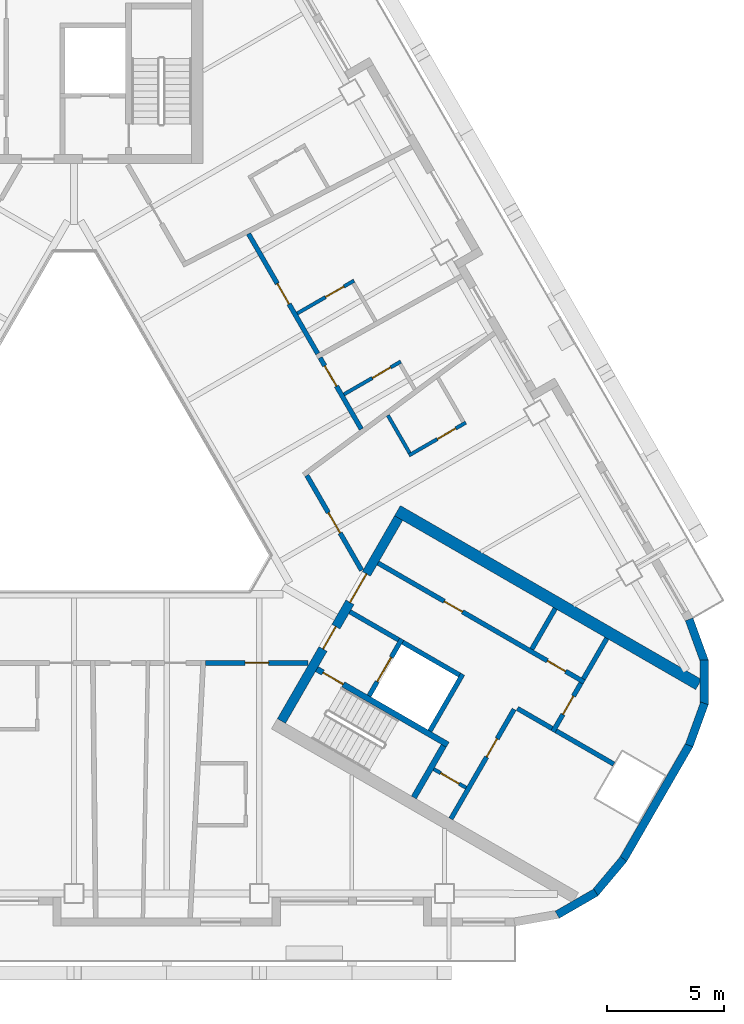
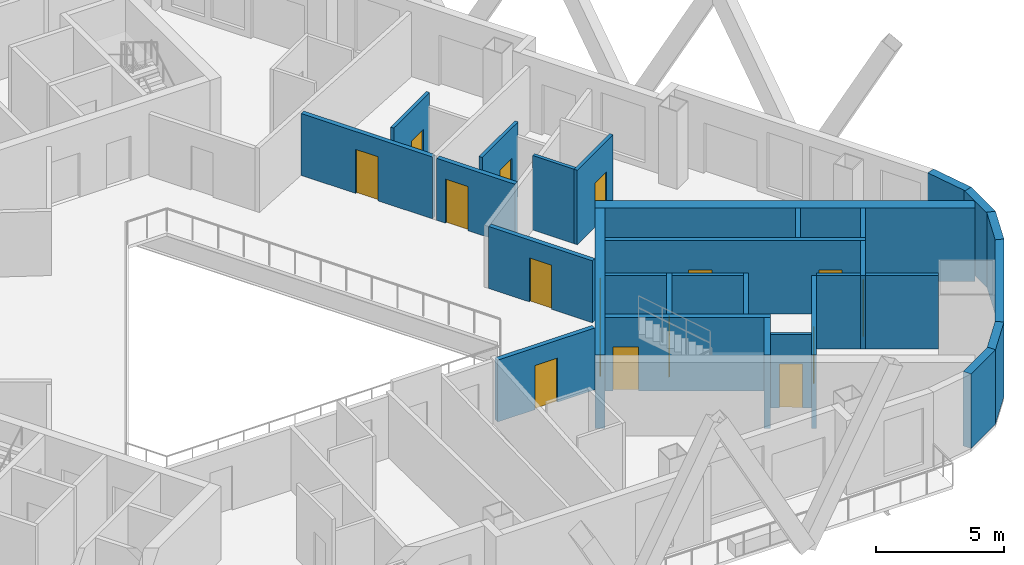
# One storey, part 5 of 14: 30 walls, 16 doors, 16 openings.
"""IFC4 building model written with IfcOpenShell, lengths in metres."""

from ifc_helpers import new_model, si_unit, direction, frame, frame_2d, origin, place, context, subcontext, project, spatial, rectangle, extrude, material, layer, layer_set, type_object, element, fill, save


model = new_model("IFC4")

# Units and contexts
model_context = context("Model", 3, precision=1e-05, world=origin(), true_north=direction((0.0, 1.0)))
body_context = subcontext(model_context, "Body", "Model", "MODEL_VIEW")
ifc_project = project(units=[si_unit("LENGTHUNIT", "METRE"), si_unit("AREAUNIT", "SQUARE_METRE"), si_unit("VOLUMEUNIT", "CUBIC_METRE"), si_unit("PLANEANGLEUNIT", "RADIAN"), si_unit("MASSUNIT", "GRAM", prefix="KILO")], contexts=[model_context])

# Site, building, storey
site_placement = place(None, origin())
site = spatial("IfcSite", under=ifc_project, at=site_placement, CompositionType="ELEMENT")
building_placement = place(site_placement, origin())
building = spatial("IfcBuilding", under=site, at=building_placement, Name="Apuvela Tower Hotel", CompositionType="ELEMENT")
storey_placement = place(building_placement, frame((0.0, 0.0, 168.800048828125)))
storey = spatial("IfcBuildingStorey", under=building, at=storey_placement, Name="L40", CompositionType="ELEMENT", Elevation=168.800048828125)

# Wall, openings, doors
ifc_material_1 = material(Name="Concrete C50/60", Category="concrete")
ifc_layer_1 = layer(ifc_material_1, 0.39990234375)
ifc_layer_set_1 = layer_set([ifc_layer_1], Name="COR-WALL-CORE-400")
wall_type_1 = type_object("IfcWallType", Name="COR-WALL-CORE-400", PredefinedType="SHEAR", material=ifc_layer_set_1)
wall_1_placement = place(storey_placement, frame((8.844970703125, -10.880126953125, 0.0), z_axis=(0.0, 0.0, 1.0), x_axis=(0.500004234368, 0.866022959057, 0.0)))
wall_1 = element("IfcWall", 1, at=wall_1_placement, inside=storey, type_object=wall_type_1, Name="Core wall SE", PredefinedType="SHEAR", context=body_context, shape_type="SweptSolid", body=[
    extrude(rectangle(XDim=10.0, YDim=0.39990234375, at=frame_2d((5.0, 0.0))), origin(), (0.0, 0.0, 1.0), 3.5),
])
opening_1_placement = place(wall_1_placement, frame((3.550048828125, 0.0, 0.0)))
opening_1 = element("IfcOpeningElement", 2, at=opening_1_placement, cuts=wall_1, Name="Opening E-FD", PredefinedType="OPENING", context=body_context, shape_type="SweptSolid", body=[
    extrude(rectangle(XDim=1.10009765625, YDim=2.10009765625, at=frame_2d((0.550048828125, 1.050048828125))), frame((0.0, 0.2099609375, 0.0), z_axis=(0.0, -1.0, 0.0), x_axis=(1.0, 0.0, 0.0)), (0.0, 0.0, 1.0), 0.419921875),
])
opening_2_placement = place(wall_1_placement, frame((5.85009765625, 0.0, 0.0)))
opening_2 = element("IfcOpeningElement", 3, at=opening_2_placement, cuts=wall_1, Name="Opening E-GD", PredefinedType="OPENING", context=body_context, shape_type="SweptSolid", body=[
    extrude(rectangle(XDim=1.39990234375, YDim=2.10009765625, at=frame_2d((0.699951171875, 1.050048828125))), frame((0.0, 0.2099609375, 0.0), z_axis=(0.0, -1.0, 0.0), x_axis=(1.0, 0.0, 0.0)), (0.0, 0.0, 1.0), 0.419921875),
])
ifc_material_2 = material(Name="Steel fire door, powder coated", Category="steel")
door_type_1 = type_object("IfcDoorType", Name="COR-FD-1100", OperationType="NOTDEFINED", PredefinedType="DOOR", material=ifc_material_2)
door_1_placement = place(opening_1_placement, frame((1.10009765625, 0.0, 0.0), z_axis=(0.0, 0.0, 1.0), x_axis=(-1.0, 0.0, 0.0)))
door_1 = element("IfcDoor", 4, at=door_1_placement, inside=storey, type_object=door_type_1, Name="Firefighting lobby door E-FD", OperationType="SINGLE_SWING_LEFT", OverallHeight=2.10009765625, OverallWidth=1.10009765625, PredefinedType="DOOR", context=body_context, shape_type="SweptSolid", body=[
    extrude(rectangle(XDim=1.10009765625, YDim=2.10009765625, at=frame_2d((0.550048828125, 1.050048828125))), frame((0.0, 0.02490234375, 0.0), z_axis=(0.0, -1.0, 0.0), x_axis=(1.0, 0.0, 0.0)), (0.0, 0.0, 1.0), 0.050048828125),
])
fill(opening_1, door_1)
ifc_material_3 = material(Name="Glazed steel fire door", Category="steel")
door_type_2 = type_object("IfcDoorType", Name="COR-GD-1400", OperationType="DOUBLE_DOOR_SINGLE_SWING", PredefinedType="DOOR", material=ifc_material_3)
door_2_placement = place(opening_2_placement, frame((1.39990234375, 0.0, 0.0), z_axis=(0.0, 0.0, 1.0), x_axis=(-1.0, 0.0, 0.0)))
door_2 = element("IfcDoor", 5, at=door_2_placement, inside=storey, type_object=door_type_2, Name="Lift lobby door E-GD", OperationType="DOUBLE_DOOR_SINGLE_SWING", OverallHeight=2.10009765625, OverallWidth=1.39990234375, PredefinedType="DOOR", context=body_context, shape_type="SweptSolid", body=[
    extrude(rectangle(XDim=1.39990234375, YDim=2.10009765625, at=frame_2d((0.699951171875, 1.050048828125))), frame((0.0, 0.02490234375, 0.0), z_axis=(0.0, -1.0, 0.0), x_axis=(1.0, 0.0, 0.0)), (0.0, 0.0, 1.0), 0.050048828125),
])
fill(opening_2, door_2)

# Wall
ifc_layer_2 = layer(ifc_material_1, 0.5)
ifc_layer_set_2 = layer_set([ifc_layer_2], Name="COR-WALL-CORE-500")
wall_type_2 = type_object("IfcWallType", Name="COR-WALL-CORE-500", PredefinedType="SHEAR", material=ifc_layer_set_2)
wall_2_placement = place(storey_placement, frame((13.796630859375, -1.9033203125, 0.0), z_axis=(0.0, 0.0, 1.0), x_axis=(0.866025009528, -0.500000682871, 0.0)))
element("IfcWall", 6, at=wall_2_placement, inside=storey, type_object=wall_type_2, Name="Core wall SE", PredefinedType="SHEAR", context=body_context, shape_type="SweptSolid", body=[
    extrude(rectangle(XDim=14.8369140625, YDim=0.5, at=frame_2d((7.41845703125, 0.0))), origin(), (0.0, 0.0, 1.0), 3.5),
])

# Wall, opening, door
ifc_material_4 = material(Name="Blockwork 150 mm plastered", Category="masonry")
ifc_layer_3 = layer(ifc_material_4, 0.14990234375)
ifc_layer_set_3 = layer_set([ifc_layer_3], Name="COR-WALL-PART-150")
wall_type_3 = type_object("IfcWallType", Name="COR-WALL-PART-150", PredefinedType="PARTITIONING", material=ifc_layer_set_3)
wall_3_placement = place(storey_placement, frame((15.341552734375, -12.927734375, 0.0), z_axis=(0.0, 0.0, 1.0), x_axis=(0.865989903783, -0.500061482766, 0.0)))
wall_3 = element("IfcWall", 7, at=wall_3_placement, inside=storey, type_object=wall_type_3, Name="Partition SE", PredefinedType="PARTITIONING", context=body_context, shape_type="SweptSolid", body=[
    extrude(rectangle(XDim=1.599853515625, YDim=0.14990234375, at=frame_2d((0.7998046875, 0.0))), origin(), (0.0, 0.0, 1.0), 3.5),
])
opening_3_placement = place(wall_3_placement, frame((0.35009765625, 0.0, 0.0)))
opening_3 = element("IfcOpeningElement", 8, at=opening_3_placement, cuts=wall_3, Name="Opening E-RD", PredefinedType="OPENING", context=body_context, shape_type="SweptSolid", body=[
    extrude(rectangle(XDim=0.89990234375, YDim=2.10009765625, at=frame_2d((0.449951171875, 1.050048828125))), frame((0.0, 0.0849609375, 0.0), z_axis=(0.0, -1.0, 0.0), x_axis=(1.0, 0.0, 0.0)), (0.0, 0.0, 1.0), 0.169921875),
])
ifc_material_5 = material(Name="Steel access door, powder coated", Category="steel")
door_type_3 = type_object("IfcDoorType", Name="COR-RD-900", OperationType="NOTDEFINED", PredefinedType="DOOR", material=ifc_material_5)
door_3_placement = place(opening_3_placement, frame((0.89990234375, 0.0, 0.0), z_axis=(0.0, 0.0, 1.0), x_axis=(-1.0, 0.0, 0.0)))
door_3 = element("IfcDoor", 9, at=door_3_placement, inside=storey, type_object=door_type_3, Name="Riser door E-RD", OperationType="SINGLE_SWING_LEFT", OverallHeight=2.10009765625, OverallWidth=0.89990234375, PredefinedType="DOOR", context=body_context, shape_type="SweptSolid", body=[
    extrude(rectangle(XDim=0.89990234375, YDim=2.10009765625, at=frame_2d((0.449951171875, 1.050048828125))), frame((0.0, 0.02490234375, 0.0), z_axis=(0.0, -1.0, 0.0), x_axis=(1.0, 0.0, 0.0)), (0.0, 0.0, 1.0), 0.050048828125),
])
fill(opening_3, door_3)

ifc_material_6 = material(Name="Blockwork 200 mm plastered", Category="masonry")
ifc_layer_4 = layer(ifc_material_6, 0.199951171875)
ifc_layer_set_4 = layer_set([ifc_layer_4], Name="COR-WALL-PART-200")
wall_type_4 = type_object("IfcWallType", Name="COR-WALL-PART-200", PredefinedType="PARTITIONING", material=ifc_layer_set_4)
wall_4_placement = place(storey_placement, frame((16.076171875, -15.05517578125, 0.0), z_axis=(0.0, 0.0, 1.0), x_axis=(0.499995103361, 0.866028230842, 0.0)))
wall_4 = element("IfcWall", 10, at=wall_4_placement, inside=storey, type_object=wall_type_4, Name="Partition SE", PredefinedType="PARTITIONING", context=body_context, shape_type="SweptSolid", body=[
    extrude(rectangle(XDim=5.39990234375, YDim=0.199951171875, at=frame_2d((2.699951171875, 0.0))), origin(), (0.0, 0.0, 1.0), 3.5),
])
opening_4_placement = place(wall_4_placement, frame((3.050048828125, 0.0, 0.0)))
opening_4 = element("IfcOpeningElement", 11, at=opening_4_placement, cuts=wall_4, Name="Opening E-RS1", PredefinedType="OPENING", context=body_context, shape_type="SweptSolid", body=[
    extrude(rectangle(XDim=0.89990234375, YDim=2.10009765625, at=frame_2d((0.449951171875, 1.050048828125))), frame((0.0, 0.10986328125, 0.0), z_axis=(0.0, -1.0, 0.0), x_axis=(1.0, 0.0, 0.0)), (0.0, 0.0, 1.0), 0.219970703125),
])
door_type_4 = type_object("IfcDoorType", Name="COR-DR-900", OperationType="NOTDEFINED", PredefinedType="DOOR", material=ifc_material_2)
door_4_placement = place(opening_4_placement, frame((0.89990234375, 0.0, 0.0), z_axis=(0.0, 0.0, 1.0), x_axis=(-1.0, 0.0, 0.0)))
door_4 = element("IfcDoor", 12, at=door_4_placement, inside=storey, type_object=door_type_4, Name="Store door E-RS1", OperationType="SINGLE_SWING_LEFT", OverallHeight=2.10009765625, OverallWidth=0.89990234375, PredefinedType="DOOR", context=body_context, shape_type="SweptSolid", body=[
    extrude(rectangle(XDim=0.89990234375, YDim=2.10009765625, at=frame_2d((0.449951171875, 1.050048828125))), frame((0.0, 0.02490234375, 0.0), z_axis=(0.0, -1.0, 0.0), x_axis=(1.0, 0.0, 0.0)), (0.0, 0.0, 1.0), 0.050048828125),
])
fill(opening_4, door_4)

# Wall
ifc_layer_5 = layer(ifc_material_1, 0.199951171875)
ifc_layer_set_5 = layer_set([ifc_layer_5], Name="COR-WALL-SHAFT-200")
wall_type_5 = type_object("IfcWallType", Name="COR-WALL-SHAFT-200", PredefinedType="SHEAR", material=ifc_layer_set_5)
wall_5_placement = place(storey_placement, frame((15.181396484375, -11.305419921875, 0.0), z_axis=(0.0, 0.0, 1.0), x_axis=(0.49994636267, 0.866056369097, 0.0)))
element("IfcWall", 13, at=wall_5_placement, inside=storey, type_object=wall_type_5, Name="Shaft wall SE", PredefinedType="SHEAR", context=body_context, shape_type="SweptSolid", body=[
    extrude(rectangle(XDim=2.800048828125, YDim=0.199951171875, at=frame_2d((1.39990234375, 0.0))), origin(), (0.0, 0.0, 1.0), 3.5),
])

# Wall, opening, door
wall_6_placement = place(storey_placement, frame((12.583251953125, -9.805419921875, 0.0), z_axis=(0.0, 0.0, 1.0), x_axis=(0.49994636267, 0.866056369097, 0.0)))
wall_6 = element("IfcWall", 14, at=wall_6_placement, inside=storey, type_object=wall_type_5, Name="Shaft wall SE", PredefinedType="SHEAR", context=body_context, shape_type="SweptSolid", body=[
    extrude(rectangle(XDim=2.800048828125, YDim=0.199951171875, at=frame_2d((1.39990234375, 0.0))), origin(), (0.0, 0.0, 1.0), 3.5),
])
opening_5_placement = place(wall_6_placement, frame((0.699951171875, 0.0, 0.0)))
opening_5 = element("IfcOpeningElement", 15, at=opening_5_placement, cuts=wall_6, Name="Opening E-LD-FS3", PredefinedType="OPENING", context=body_context, shape_type="SweptSolid", body=[
    extrude(rectangle(XDim=1.199951171875, YDim=2.10009765625, at=frame_2d((0.60009765625, 1.050048828125))), frame((0.0, 0.10986328125, 0.0), z_axis=(0.0, -1.0, 0.0), x_axis=(1.0, 0.0, 0.0)), (0.0, 0.0, 1.0), 0.219970703125),
])
ifc_material_7 = material(Name="Stainless steel lift landing door", Category="steel")
door_type_5 = type_object("IfcDoorType", Name="COR-LD-1200", OperationType="DOUBLE_DOOR_SLIDING", PredefinedType="DOOR", material=ifc_material_7)
door_5_placement = place(opening_5_placement, origin())
door_5 = element("IfcDoor", 16, at=door_5_placement, inside=storey, type_object=door_type_5, Name="Lift landing door E-LD-FS3", OperationType="DOUBLE_DOOR_SLIDING", OverallHeight=2.10009765625, OverallWidth=1.199951171875, PredefinedType="DOOR", context=body_context, shape_type="SweptSolid", body=[
    extrude(rectangle(XDim=1.199951171875, YDim=2.10009765625, at=frame_2d((0.60009765625, 1.050048828125))), frame((0.0, 0.02490234375, 0.0), z_axis=(0.0, -1.0, 0.0), x_axis=(1.0, 0.0, 0.0)), (0.0, 0.0, 1.0), 0.050048828125),
])
fill(opening_5, door_5)

# Walls
wall_7_placement = place(storey_placement, frame((11.76806640625, -6.217041015625, 0.0), z_axis=(0.0, 0.0, 1.0), x_axis=(0.866050077142, -0.499957262057, 0.0)))
element("IfcWall", 17, at=wall_7_placement, inside=storey, type_object=wall_type_5, Name="Shaft wall SE", PredefinedType="SHEAR", context=body_context, shape_type="SweptSolid", body=[
    extrude(rectangle(XDim=2.400146484375, YDim=0.199951171875, at=frame_2d((1.2001953125, 0.0))), origin(), (0.0, 0.0, 1.0), 3.5),
])
wall_8_placement = place(storey_placement, frame((14.019775390625, -7.51708984375, 0.0), z_axis=(0.0, 0.0, 1.0), x_axis=(0.866034573852, -0.49998411664, 0.0)))
element("IfcWall", 18, at=wall_8_placement, inside=storey, type_object=wall_type_5, Name="Shaft wall SE", PredefinedType="SHEAR", context=body_context, shape_type="SweptSolid", body=[
    extrude(rectangle(XDim=2.7998046875, YDim=0.199951171875, at=frame_2d((1.39990234375, 0.0))), origin(), (0.0, 0.0, 1.0), 3.5),
])

# Wall, openings, doors
wall_9_placement = place(storey_placement, frame((12.968017578125, -4.138427734375, 0.0), z_axis=(0.0, 0.0, 1.0), x_axis=(0.866028328073, -0.49999493495, 0.0)))
wall_9 = element("IfcWall", 19, at=wall_9_placement, inside=storey, type_object=wall_type_5, Name="Shaft wall SE", PredefinedType="SHEAR", context=body_context, shape_type="SweptSolid", body=[
    extrude(rectangle(XDim=10.16015625, YDim=0.199951171875, at=frame_2d((5.080078125, 0.0))), origin(), (0.0, 0.0, 1.0), 3.5),
])
opening_6_placement = place(wall_9_placement, frame((3.260009765625, 0.0, 0.0)))
opening_6 = element("IfcOpeningElement", 20, at=opening_6_placement, cuts=wall_9, Name="Opening E-RE1", PredefinedType="OPENING", context=body_context, shape_type="SweptSolid", body=[
    extrude(rectangle(XDim=0.89990234375, YDim=2.10009765625, at=frame_2d((0.449951171875, 1.050048828125))), frame((0.0, 0.10986328125, 0.0), z_axis=(0.0, -1.0, 0.0), x_axis=(1.0, 0.0, 0.0)), (0.0, 0.0, 1.0), 0.219970703125),
])
opening_7_placement = place(wall_9_placement, frame((8.340087890625, 0.0, 0.0)))
opening_7 = element("IfcOpeningElement", 21, at=opening_7_placement, cuts=wall_9, Name="Opening E-RE4", PredefinedType="OPENING", context=body_context, shape_type="SweptSolid", body=[
    extrude(rectangle(XDim=0.89990234375, YDim=2.10009765625, at=frame_2d((0.449951171875, 1.050048828125))), frame((0.0, 0.10986328125, 0.0), z_axis=(0.0, -1.0, 0.0), x_axis=(1.0, 0.0, 0.0)), (0.0, 0.0, 1.0), 0.219970703125),
])
door_6_placement = place(opening_6_placement, origin())
door_6 = element("IfcDoor", 22, at=door_6_placement, inside=storey, type_object=door_type_4, Name="Store door E-RE1", OperationType="SINGLE_SWING_LEFT", OverallHeight=2.10009765625, OverallWidth=0.89990234375, PredefinedType="DOOR", context=body_context, shape_type="SweptSolid", body=[
    extrude(rectangle(XDim=0.89990234375, YDim=2.10009765625, at=frame_2d((0.449951171875, 1.050048828125))), frame((0.0, 0.02490234375, 0.0), z_axis=(0.0, -1.0, 0.0), x_axis=(1.0, 0.0, 0.0)), (0.0, 0.0, 1.0), 0.050048828125),
])
fill(opening_6, door_6)
door_7_placement = place(opening_7_placement, origin())
door_7 = element("IfcDoor", 23, at=door_7_placement, inside=storey, type_object=door_type_4, Name="Store door E-RE4", OperationType="SINGLE_SWING_RIGHT", OverallHeight=2.10009765625, OverallWidth=0.89990234375, PredefinedType="DOOR", context=body_context, shape_type="SweptSolid", body=[
    extrude(rectangle(XDim=0.89990234375, YDim=2.10009765625, at=frame_2d((0.449951171875, 1.050048828125))), frame((0.0, 0.02490234375, 0.0), z_axis=(0.0, -1.0, 0.0), x_axis=(1.0, 0.0, 0.0)), (0.0, 0.0, 1.0), 0.050048828125),
])
fill(opening_7, door_7)

# Wall, opening, door
wall_10_placement = place(storey_placement, frame((20.430419921875, -11.33349609375, 0.0), z_axis=(0.0, 0.0, 1.0), x_axis=(0.500001309137, 0.866024647952, 0.0)))
wall_10 = element("IfcWall", 24, at=wall_10_placement, inside=storey, type_object=wall_type_5, Name="Shaft wall SE", PredefinedType="SHEAR", context=body_context, shape_type="SweptSolid", body=[
    extrude(rectangle(XDim=2.39990234375, YDim=0.199951171875, at=frame_2d((1.199951171875, 0.0))), origin(), (0.0, 0.0, 1.0), 3.5),
])
opening_8_placement = place(wall_10_placement, frame((0.85009765625, 0.0, 0.0)))
opening_8 = element("IfcOpeningElement", 25, at=opening_8_placement, cuts=wall_10, Name="Opening E-REP", PredefinedType="OPENING", context=body_context, shape_type="SweptSolid", body=[
    extrude(rectangle(XDim=0.89990234375, YDim=2.10009765625, at=frame_2d((0.449951171875, 1.050048828125))), frame((0.0, 0.10986328125, 0.0), z_axis=(0.0, -1.0, 0.0), x_axis=(1.0, 0.0, 0.0)), (0.0, 0.0, 1.0), 0.219970703125),
])
door_8_placement = place(opening_8_placement, frame((0.89990234375, 0.0, 0.0), z_axis=(0.0, 0.0, 1.0), x_axis=(-1.0, 0.0, 0.0)))
door_8 = element("IfcDoor", 26, at=door_8_placement, inside=storey, type_object=door_type_4, Name="Store door E-REP", OperationType="SINGLE_SWING_RIGHT", OverallHeight=2.10009765625, OverallWidth=0.89990234375, PredefinedType="DOOR", context=body_context, shape_type="SweptSolid", body=[
    extrude(rectangle(XDim=0.89990234375, YDim=2.10009765625, at=frame_2d((0.449951171875, 1.050048828125))), frame((0.0, 0.02490234375, 0.0), z_axis=(0.0, -1.0, 0.0), x_axis=(1.0, 0.0, 0.0)), (0.0, 0.0, 1.0), 0.050048828125),
])
fill(opening_8, door_8)

# Walls
wall_11_placement = place(storey_placement, frame((18.912841796875, -10.342041015625, 0.0), z_axis=(0.0, 0.0, 1.0), x_axis=(0.866038183914, -0.499977863513, 0.0)))
element("IfcWall", 27, at=wall_11_placement, inside=storey, type_object=wall_type_5, Name="Shaft wall SE", PredefinedType="SHEAR", context=body_context, shape_type="SweptSolid", body=[
    extrude(rectangle(XDim=1.7099609375, YDim=0.199951171875, at=frame_2d((0.85498046875, 0.0))), origin(), (0.0, 0.0, 1.0), 3.5),
])
for number, where, z_axis, x_axis, name in (
    (28, (19.530517578125, -7.81201171875, 0.0), (0.0, 0.0, 1.0), (0.499972520799, 0.866041268327, 0.0), "Shaft wall SE"),
    (29, (21.73046875, -9.081787109375, 0.0), (0.0, 0.0, 1.0), (0.50002537861, 0.866010750942, 0.0), "Shaft wall SE"),
):
    element("IfcWall", number, at=place(storey_placement, frame(where, z_axis=z_axis, x_axis=x_axis)), inside=storey, type_object=wall_type_5, Name=name, PredefinedType="SHEAR", context=body_context, shape_type="SweptSolid", body=[
        extrude(rectangle(XDim=2.0, YDim=0.199951171875, at=frame_2d((1.0, 0.0))), origin(), (0.0, 0.0, 1.0), 3.5),
    ])
wall_12_placement = place(storey_placement, frame((20.56689453125, -11.297119140625, 0.0), z_axis=(0.0, 0.0, 1.0), x_axis=(0.866055327414, -0.49994816717, 0.0)))
element("IfcWall", 30, at=wall_12_placement, inside=storey, type_object=wall_type_5, Name="Shaft wall SE", PredefinedType="SHEAR", context=body_context, shape_type="SweptSolid", body=[
    extrude(rectangle(XDim=2.840087890625, YDim=0.199951171875, at=frame_2d((1.419921875, 0.0))), origin(), (0.0, 0.0, 1.0), 3.5),
])

# Wall, opening, door
ifc_layer_6 = layer(ifc_material_1, 0.25)
ifc_layer_set_6 = layer_set([ifc_layer_6], Name="COR-WALL-STAIR-250")
wall_type_6 = type_object("IfcWallType", Name="COR-WALL-STAIR-250", PredefinedType="SHEAR", material=ifc_layer_set_6)
wall_13_placement = place(storey_placement, frame((10.355712890625, -8.66357421875, 0.0), z_axis=(0.0, 0.0, 1.0), x_axis=(0.866028629588, -0.499994412703, 0.0)))
wall_13 = element("IfcWall", 31, at=wall_13_placement, inside=storey, type_object=wall_type_6, Name="Stair wall SE", PredefinedType="SHEAR", context=body_context, shape_type="SweptSolid", body=[
    extrude(rectangle(XDim=6.44970703125, YDim=0.25, at=frame_2d((3.224853515625, 0.0))), origin(), (0.0, 0.0, 1.0), 3.5),
])
opening_9_placement = place(wall_13_placement, frame((0.300048828125, 0.0, 0.0)))
opening_9 = element("IfcOpeningElement", 32, at=opening_9_placement, cuts=wall_13, Name="Opening E-SD", PredefinedType="OPENING", context=body_context, shape_type="SweptSolid", body=[
    extrude(rectangle(XDim=1.0, YDim=2.10009765625, at=frame_2d((0.5, 1.050048828125))), frame((0.0, 0.135009765625, 0.0), z_axis=(0.0, -1.0, 0.0), x_axis=(1.0, 0.0, 0.0)), (0.0, 0.0, 1.0), 0.27001953125),
])
door_type_6 = type_object("IfcDoorType", Name="COR-SD-1000", OperationType="NOTDEFINED", PredefinedType="DOOR", material=ifc_material_2)
door_9_placement = place(opening_9_placement, frame((1.0, 0.0, 0.0), z_axis=(0.0, 0.0, 1.0), x_axis=(-1.0, 0.0, 0.0)))
door_9 = element("IfcDoor", 33, at=door_9_placement, inside=storey, type_object=door_type_6, Name="Stair door E-SD", OperationType="SINGLE_SWING_LEFT", OverallHeight=2.10009765625, OverallWidth=1.0, PredefinedType="DOOR", context=body_context, shape_type="SweptSolid", body=[
    extrude(rectangle(XDim=1.0, YDim=2.10009765625, at=frame_2d((0.5, 1.050048828125))), frame((0.0, 0.02490234375, 0.0), z_axis=(0.0, -1.0, 0.0), x_axis=(1.0, 0.0, 0.0)), (0.0, 0.0, 1.0), 0.050048828125),
])
fill(opening_9, door_9)

# Walls
wall_14_placement = place(storey_placement, frame((14.49560546875, -14.142578125, 0.0), z_axis=(0.0, 0.0, 1.0), x_axis=(0.500062241894, 0.865989465428, 0.0)))
element("IfcWall", 34, at=wall_14_placement, inside=storey, type_object=wall_type_6, Name="Stair wall SE", PredefinedType="SHEAR", context=body_context, shape_type="SweptSolid", body=[
    extrude(rectangle(XDim=2.550048828125, YDim=0.25, at=frame_2d((1.27490234375, 0.0))), origin(), (0.0, 0.0, 1.0), 3.5),
])
ifc_material_8 = material(Name="Concrete C40/50, dark pigmented precast panel", Category="concrete")
ifc_layer_7 = layer(ifc_material_8, 0.35009765625)
ifc_layer_set_7 = layer_set([ifc_layer_7], Name="ENV-WALL-350")
wall_type_7 = type_object("IfcWallType", Name="ENV-WALL-350", PredefinedType="SOLIDWALL", material=ifc_layer_set_7)
for number, where, z_axis, x_axis, name in (
    (35, (20.609619140625, -19.146728515625, 0.0), (0.0, 0.0, 1.0), (0.866000389056, 0.500043324278, 0.0), "External wall L40-27"),
    (36, (22.21728515625, -18.230712890625, 0.0), (0.0, 0.0, 1.0), (0.642733291068, 0.76609001857, 0.0), "External wall L40-28"),
):
    element("IfcWall", number, at=place(storey_placement, frame(where, z_axis=z_axis, x_axis=x_axis)), inside=storey, type_object=wall_type_7, Name=name, PredefinedType="SOLIDWALL", context=body_context, shape_type="SweptSolid", body=[
        extrude(rectangle(XDim=1.909912109375, YDim=0.35009765625, at=frame_2d((0.955078125, 0.0))), origin(), (0.0, 0.0, 1.0), 3.550048828125),
    ])
wall_15_placement = place(storey_placement, frame((23.427490234375, -16.79248046875, 0.0), z_axis=(0.0, 0.0, 1.0), x_axis=(0.500018773155, 0.866014564827, 0.0)))
element("IfcWall", 37, at=wall_15_placement, inside=storey, type_object=wall_type_7, Name="External wall L40-29", PredefinedType="SOLIDWALL", context=body_context, shape_type="SweptSolid", body=[
    extrude(rectangle(XDim=5.657958984375, YDim=0.35009765625, at=frame_2d((2.8291015625, 0.0))), origin(), (0.0, 0.0, 1.0), 3.550048828125),
])
for number, where, z_axis, x_axis, name in (
    (38, (26.24365234375, -11.920166015625, 0.0), (0.0, 0.0, 1.0), (0.342030395486, 0.939688889242, 0.0), "External wall L40-30"),
    (39, (26.88623046875, -10.18505859375, 0.0), (0.0, 0.0, 1.0), (0.0, 1.0, 0.0), "External wall L40-31"),
    (40, (26.89697265625, -8.334716796875, 0.0), (0.0, 0.0, 1.0), (-0.342030395486, 0.939688889242, 0.0), "External wall L40-32"),
):
    element("IfcWall", number, at=place(storey_placement, frame(where, z_axis=z_axis, x_axis=x_axis)), inside=storey, type_object=wall_type_7, Name=name, PredefinedType="SOLIDWALL", context=body_context, shape_type="SweptSolid", body=[
        extrude(rectangle(XDim=1.91015625, YDim=0.35009765625, at=frame_2d((0.955078125, 0.0))), origin(), (0.0, 0.0, 1.0), 3.550048828125),
    ])

# Wall, opening, door
ifc_material_9 = material(Name="Gypsum board corridor wall on twin steel stud, acoustic", Category="steel")
ifc_layer_8 = layer(ifc_material_9, 0.199951171875)
ifc_layer_set_8 = layer_set([ifc_layer_8], Name="GST-PW2")
wall_type_8 = type_object("IfcWallType", Name="GST-PW2", PredefinedType="PARTITIONING", material=ifc_layer_set_8)
wall_16_placement = place(storey_placement, frame((9.98828125, -8.39990234375, 0.0), z_axis=(0.0, 0.0, 1.0), x_axis=(-1.0, 0.0, 0.0)))
wall_16 = element("IfcWall", 41, at=wall_16_placement, inside=storey, type_object=wall_type_8, Name="L40 partition 19", PredefinedType="PARTITIONING", context=body_context, shape_type="SweptSolid", body=[
    extrude(rectangle(XDim=4.383056640625, YDim=0.199951171875, at=frame_2d((2.19140625, 0.0))), origin(), (0.0, 0.0, 1.0), 2.949951171875),
])
opening_10_placement = place(wall_16_placement, frame((1.69140625, 0.0, 0.0)))
opening_10 = element("IfcOpeningElement", 42, at=opening_10_placement, cuts=wall_16, Name="Opening GD15-08", PredefinedType="OPENING", context=body_context, shape_type="SweptSolid", body=[
    extrude(rectangle(XDim=1.0, YDim=2.10009765625, at=frame_2d((0.5, 1.050048828125))), frame((0.0, 0.10986328125, 0.0), z_axis=(0.0, -1.0, 0.0), x_axis=(1.0, 0.0, 0.0)), (0.0, 0.0, 1.0), 0.219970703125),
])
ifc_material_10 = material(Name="Timber door leaf in steel frame", Category="steel")
door_type_7 = type_object("IfcDoorType", Name="GST-D1", OperationType="NOTDEFINED", PredefinedType="DOOR", material=ifc_material_10)
door_10_placement = place(opening_10_placement, origin())
door_10 = element("IfcDoor", 43, at=door_10_placement, inside=storey, type_object=door_type_7, Name="Door L40-08", OperationType="SINGLE_SWING_RIGHT", OverallHeight=2.10009765625, OverallWidth=1.0, PredefinedType="DOOR", context=body_context, shape_type="SweptSolid", body=[
    extrude(rectangle(XDim=1.0, YDim=2.10009765625, at=frame_2d((0.5, 1.050048828125))), frame((0.0, 0.02490234375, 0.0), z_axis=(0.0, -1.0, 0.0), x_axis=(1.0, 0.0, 0.0)), (0.0, 0.0, 1.0), 0.050048828125),
])
fill(opening_10, door_10)

wall_17_placement = place(storey_placement, frame((9.9306640625, -0.400634765625, 0.0), z_axis=(0.0, 0.0, 1.0), x_axis=(0.5000418389, -0.866001246737, 0.0)))
wall_17 = element("IfcWall", 44, at=wall_17_placement, inside=storey, type_object=wall_type_8, Name="L40 partition 23", PredefinedType="PARTITIONING", context=body_context, shape_type="SweptSolid", body=[
    extrude(rectangle(XDim=4.67578125, YDim=0.199951171875, at=frame_2d((2.337890625, 0.0))), origin(), (0.0, 0.0, 1.0), 2.949951171875),
])
opening_11_placement = place(wall_17_placement, frame((1.837890625, 0.0, 0.0)))
opening_11 = element("IfcOpeningElement", 45, at=opening_11_placement, cuts=wall_17, Name="Opening GD15-10", PredefinedType="OPENING", context=body_context, shape_type="SweptSolid", body=[
    extrude(rectangle(XDim=1.0, YDim=2.10009765625, at=frame_2d((0.5, 1.050048828125))), frame((0.0, 0.10986328125, 0.0), z_axis=(0.0, -1.0, 0.0), x_axis=(1.0, 0.0, 0.0)), (0.0, 0.0, 1.0), 0.219970703125),
])
door_11_placement = place(opening_11_placement, origin())
door_11 = element("IfcDoor", 46, at=door_11_placement, inside=storey, type_object=door_type_7, Name="Door L40-10", OperationType="SINGLE_SWING_LEFT", OverallHeight=2.10009765625, OverallWidth=1.0, PredefinedType="DOOR", context=body_context, shape_type="SweptSolid", body=[
    extrude(rectangle(XDim=1.0, YDim=2.10009765625, at=frame_2d((0.5, 1.050048828125))), frame((0.0, 0.02490234375, 0.0), z_axis=(0.0, -1.0, 0.0), x_axis=(1.0, 0.0, 0.0)), (0.0, 0.0, 1.0), 0.050048828125),
])
fill(opening_11, door_11)

wall_18_placement = place(storey_placement, frame((10.494873046875, 4.622314453125, 0.0), z_axis=(0.0, 0.0, 1.0), x_axis=(0.500004750779, -0.866022660904, 0.0)))
wall_18 = element("IfcWall", 47, at=wall_18_placement, inside=storey, type_object=wall_type_8, Name="L40 partition 27", PredefinedType="PARTITIONING", context=body_context, shape_type="SweptSolid", body=[
    extrude(rectangle(XDim=3.5185546875, YDim=0.199951171875, at=frame_2d((1.75927734375, 0.0))), origin(), (0.0, 0.0, 1.0), 2.949951171875),
])
opening_12_placement = place(wall_18_placement, frame((0.39990234375, 0.0, 0.0)))
opening_12 = element("IfcOpeningElement", 48, at=opening_12_placement, cuts=wall_18, Name="Opening GD15-12", PredefinedType="OPENING", context=body_context, shape_type="SweptSolid", body=[
    extrude(rectangle(XDim=1.0, YDim=2.10009765625, at=frame_2d((0.5, 1.050048828125))), frame((0.0, 0.10986328125, 0.0), z_axis=(0.0, -1.0, 0.0), x_axis=(1.0, 0.0, 0.0)), (0.0, 0.0, 1.0), 0.219970703125),
])
door_12_placement = place(opening_12_placement, origin())
door_12 = element("IfcDoor", 49, at=door_12_placement, inside=storey, type_object=door_type_7, Name="Door L40-12", OperationType="SINGLE_SWING_LEFT", OverallHeight=2.10009765625, OverallWidth=1.0, PredefinedType="DOOR", context=body_context, shape_type="SweptSolid", body=[
    extrude(rectangle(XDim=1.0, YDim=2.10009765625, at=frame_2d((0.5, 1.050048828125))), frame((0.0, 0.02490234375, 0.0), z_axis=(0.0, -1.0, 0.0), x_axis=(1.0, 0.0, 0.0)), (0.0, 0.0, 1.0), 0.050048828125),
])
fill(opening_12, door_12)

wall_19_placement = place(storey_placement, frame((7.44140625, 9.9111328125, 0.0), z_axis=(0.0, 0.0, 1.0), x_axis=(0.500006275671, -0.866021780494, 0.0)))
wall_19 = element("IfcWall", 50, at=wall_19_placement, inside=storey, type_object=wall_type_8, Name="L40 partition 30", PredefinedType="PARTITIONING", context=body_context, shape_type="SweptSolid", body=[
    extrude(rectangle(XDim=5.9072265625, YDim=0.199951171875, at=frame_2d((2.95361328125, 0.0))), origin(), (0.0, 0.0, 1.0), 2.949951171875),
])
opening_13_placement = place(wall_19_placement, frame((2.45849609375, 0.0, 0.0)))
opening_13 = element("IfcOpeningElement", 51, at=opening_13_placement, cuts=wall_19, Name="Opening GD15-14", PredefinedType="OPENING", context=body_context, shape_type="SweptSolid", body=[
    extrude(rectangle(XDim=1.0, YDim=2.10009765625, at=frame_2d((0.5, 1.050048828125))), frame((0.0, 0.10986328125, 0.0), z_axis=(0.0, -1.0, 0.0), x_axis=(1.0, 0.0, 0.0)), (0.0, 0.0, 1.0), 0.219970703125),
])
door_13_placement = place(opening_13_placement, origin())
door_13 = element("IfcDoor", 52, at=door_13_placement, inside=storey, type_object=door_type_7, Name="Door L40-14", OperationType="SINGLE_SWING_LEFT", OverallHeight=2.10009765625, OverallWidth=1.0, PredefinedType="DOOR", context=body_context, shape_type="SweptSolid", body=[
    extrude(rectangle(XDim=1.0, YDim=2.10009765625, at=frame_2d((0.5, 1.050048828125))), frame((0.0, 0.02490234375, 0.0), z_axis=(0.0, -1.0, 0.0), x_axis=(1.0, 0.0, 0.0)), (0.0, 0.0, 1.0), 0.050048828125),
])
fill(opening_13, door_13)

ifc_material_11 = material(Name="Moisture-resistant gypsum board wet wall on steel stud", Category="steel")
ifc_layer_9 = layer(ifc_material_11, 0.14990234375)
ifc_layer_set_9 = layer_set([ifc_layer_9], Name="GST-PW3")
wall_type_9 = type_object("IfcWallType", Name="GST-PW3", PredefinedType="PARTITIONING", material=ifc_layer_set_9)
wall_20_placement = place(storey_placement, frame((14.287109375, 0.4541015625, 0.0), z_axis=(0.0, 0.0, 1.0), x_axis=(0.866034573852, 0.49998411664, 0.0)))
wall_20 = element("IfcWall", 53, at=wall_20_placement, inside=storey, type_object=wall_type_9, Name="L40 partition 24", PredefinedType="PARTITIONING", context=body_context, shape_type="SweptSolid", body=[
    extrude(rectangle(XDim=2.7998046875, YDim=0.14990234375, at=frame_2d((1.39990234375, 0.0))), origin(), (0.0, 0.0, 1.0), 3.550048828125),
])
opening_14_placement = place(wall_20_placement, frame((1.39990234375, 0.0, 0.0)))
opening_14 = element("IfcOpeningElement", 54, at=opening_14_placement, cuts=wall_20, Name="Opening GD15-09", PredefinedType="OPENING", context=body_context, shape_type="SweptSolid", body=[
    extrude(rectangle(XDim=0.89990234375, YDim=2.10009765625, at=frame_2d((0.449951171875, 1.050048828125))), frame((0.0, 0.0849609375, 0.0), z_axis=(0.0, -1.0, 0.0), x_axis=(1.0, 0.0, 0.0)), (0.0, 0.0, 1.0), 0.169921875),
])
door_type_8 = type_object("IfcDoorType", Name="GST-D2", OperationType="NOTDEFINED", PredefinedType="DOOR", material=ifc_material_10)
door_14_placement = place(opening_14_placement, origin())
door_14 = element("IfcDoor", 55, at=door_14_placement, inside=storey, type_object=door_type_8, Name="Door L40-09", OperationType="SINGLE_SWING_RIGHT", OverallHeight=2.10009765625, OverallWidth=0.89990234375, PredefinedType="DOOR", context=body_context, shape_type="SweptSolid", body=[
    extrude(rectangle(XDim=0.89990234375, YDim=2.10009765625, at=frame_2d((0.449951171875, 1.050048828125))), frame((0.0, 0.02490234375, 0.0), z_axis=(0.0, -1.0, 0.0), x_axis=(1.0, 0.0, 0.0)), (0.0, 0.0, 1.0), 0.050048828125),
])
fill(opening_14, door_14)

# Wall
wall_21_placement = place(storey_placement, frame((14.314453125, 0.556640625, 0.0), z_axis=(0.0, 0.0, 1.0), x_axis=(-0.500052179009, 0.865995276124, 0.0)))
element("IfcWall", 56, at=wall_21_placement, inside=storey, type_object=wall_type_9, Name="L40 partition 26", PredefinedType="PARTITIONING", context=body_context, shape_type="SweptSolid", body=[
    extrude(rectangle(XDim=1.858642578125, YDim=0.14990234375, at=frame_2d((0.92919921875, 0.0))), origin(), (0.0, 0.0, 1.0), 3.550048828125),
])

# Wall, opening, door
wall_22_placement = place(storey_placement, frame((13.93798828125, 4.45849609375, 0.0), z_axis=(0.0, 0.0, 1.0), x_axis=(-0.866034573852, -0.49998411664, 0.0)))
wall_22 = element("IfcWall", 57, at=wall_22_placement, inside=storey, type_object=wall_type_9, Name="L40 partition 28", PredefinedType="PARTITIONING", context=body_context, shape_type="SweptSolid", body=[
    extrude(rectangle(XDim=2.7998046875, YDim=0.14990234375, at=frame_2d((1.39990234375, 0.0))), origin(), (0.0, 0.0, 1.0), 3.550048828125),
])
opening_15_placement = place(wall_22_placement, frame((0.5, 0.0, 0.0)))
opening_15 = element("IfcOpeningElement", 58, at=opening_15_placement, cuts=wall_22, Name="Opening GD15-11", PredefinedType="OPENING", context=body_context, shape_type="SweptSolid", body=[
    extrude(rectangle(XDim=0.89990234375, YDim=2.10009765625, at=frame_2d((0.449951171875, 1.050048828125))), frame((0.0, 0.0849609375, 0.0), z_axis=(0.0, -1.0, 0.0), x_axis=(1.0, 0.0, 0.0)), (0.0, 0.0, 1.0), 0.169921875),
])
door_15_placement = place(opening_15_placement, origin())
door_15 = element("IfcDoor", 59, at=door_15_placement, inside=storey, type_object=door_type_8, Name="Door L40-11", OperationType="SINGLE_SWING_LEFT", OverallHeight=2.10009765625, OverallWidth=0.89990234375, PredefinedType="DOOR", context=body_context, shape_type="SweptSolid", body=[
    extrude(rectangle(XDim=0.89990234375, YDim=2.10009765625, at=frame_2d((0.449951171875, 1.050048828125))), frame((0.0, 0.02490234375, 0.0), z_axis=(0.0, -1.0, 0.0), x_axis=(1.0, 0.0, 0.0)), (0.0, 0.0, 1.0), 0.050048828125),
])
fill(opening_15, door_15)

wall_23_placement = place(storey_placement, frame((11.944580078125, 7.911376953125, 0.0), z_axis=(0.0, 0.0, 1.0), x_axis=(-0.865996816683, -0.500049511043, 0.0)))
wall_23 = element("IfcWall", 60, at=wall_23_placement, inside=storey, type_object=wall_type_9, Name="L40 partition 31", PredefinedType="PARTITIONING", context=body_context, shape_type="SweptSolid", body=[
    extrude(rectangle(XDim=2.800048828125, YDim=0.14990234375, at=frame_2d((1.39990234375, 0.0))), origin(), (0.0, 0.0, 1.0), 3.550048828125),
])
opening_16_placement = place(wall_23_placement, frame((0.5, 0.0, 0.0)))
opening_16 = element("IfcOpeningElement", 61, at=opening_16_placement, cuts=wall_23, Name="Opening GD15-13", PredefinedType="OPENING", context=body_context, shape_type="SweptSolid", body=[
    extrude(rectangle(XDim=0.89990234375, YDim=2.10009765625, at=frame_2d((0.449951171875, 1.050048828125))), frame((0.0, 0.0849609375, 0.0), z_axis=(0.0, -1.0, 0.0), x_axis=(1.0, 0.0, 0.0)), (0.0, 0.0, 1.0), 0.169921875),
])
door_16_placement = place(opening_16_placement, origin())
door_16 = element("IfcDoor", 62, at=door_16_placement, inside=storey, type_object=door_type_8, Name="Door L40-13", OperationType="SINGLE_SWING_LEFT", OverallHeight=2.10009765625, OverallWidth=0.89990234375, PredefinedType="DOOR", context=body_context, shape_type="SweptSolid", body=[
    extrude(rectangle(XDim=0.89990234375, YDim=2.10009765625, at=frame_2d((0.449951171875, 1.050048828125))), frame((0.0, 0.02490234375, 0.0), z_axis=(0.0, -1.0, 0.0), x_axis=(1.0, 0.0, 0.0)), (0.0, 0.0, 1.0), 0.050048828125),
])
fill(opening_16, door_16)

save(model, "model.ifc")
